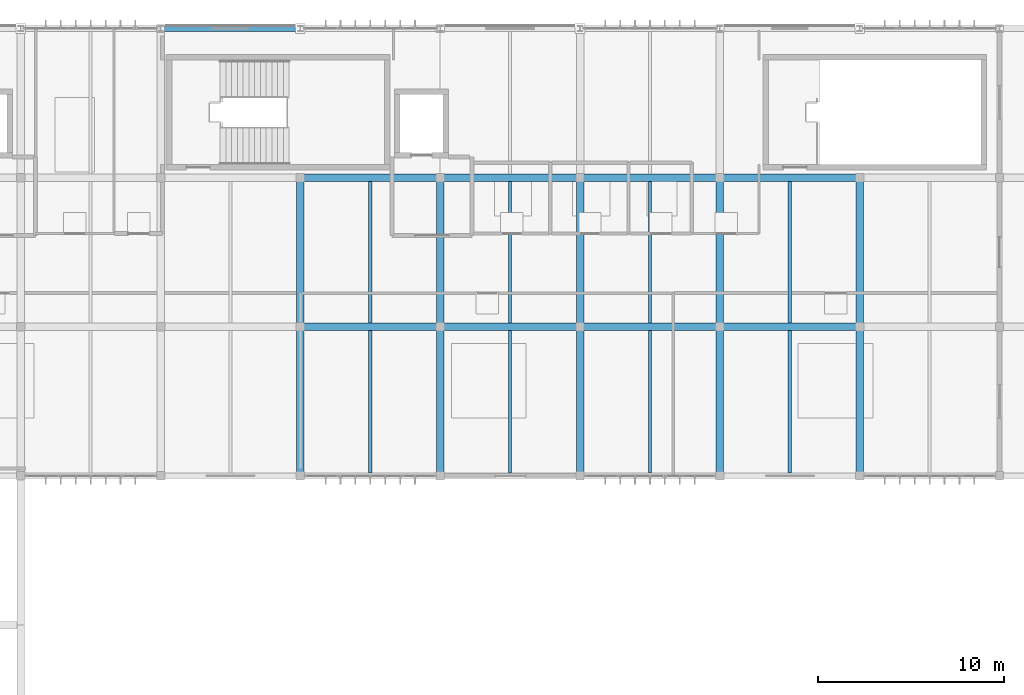
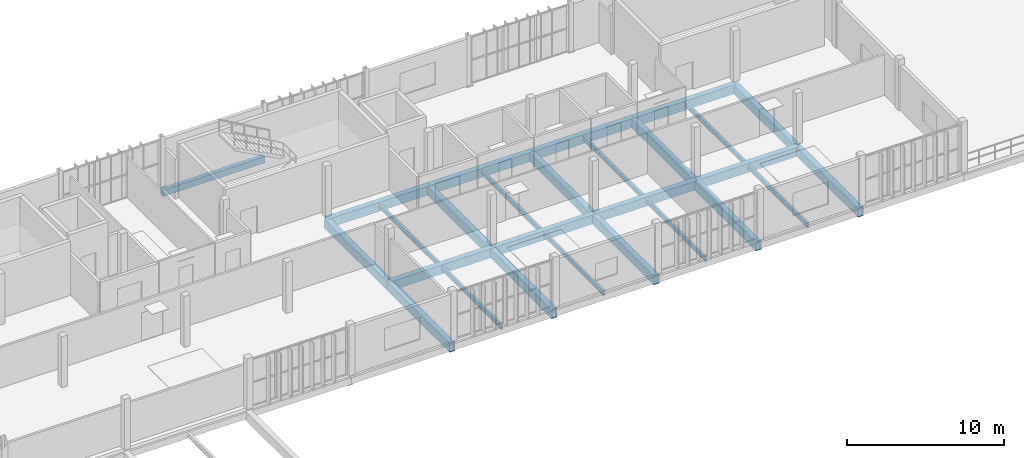
# One storey, part 12 of 26: 27 beams.
"""IFC4 building model written with IfcOpenShell, lengths in metres."""

import ifcopenshell
import ifcopenshell.guid

model = None  # the IFC model being written
_history = None  # IfcOwnerHistory: only IFC2X3 demands one
_inside = {}  # id of a spatial element -> (the spatial element, [elements in it])
_under = {}  # id of a project, library or spatial element -> (it, [spatial elements below it])
_declared = {}  # id of a project -> (the project, [libraries it declares])
_typed = {}  # id of a type object -> (the type object, [elements of that type])
_made_of = {}  # id of a material, layer set ... -> (it, [elements and type objects made of it])


def new_model(schema):
    """Start an empty IFC model of exactly this schema.

    Asked for "IFC4X3", IfcOpenShell would pick the latest addendum, in which some entities
    have other attributes; the version numbers below select the first issue.
    IFC2X3 requires an IfcOwnerHistory on every rooted entity: one is made here for all.
    """
    global model, _history
    if schema == "IFC4X3":
        model = ifcopenshell.file(schema_version=(4, 3, 0, 0))
    else:
        model = ifcopenshell.file(schema=schema)
    _inside.clear()
    _under.clear()
    _declared.clear()
    _typed.clear()
    _made_of.clear()
    _history = None
    if model.schema == "IFC2X3":
        org = make("IfcOrganization", Name="unknown")
        user = make(
            "IfcPersonAndOrganization",
            ThePerson=make("IfcPerson", FamilyName="unknown"),
            TheOrganization=org,
        )
        app = make(
            "IfcApplication",
            ApplicationDeveloper=org,
            Version="unknown",
            ApplicationFullName="unknown",
            ApplicationIdentifier="unknown",
        )
        _history = make(
            "IfcOwnerHistory",
            OwningUser=user,
            OwningApplication=app,
            ChangeAction="ADDED",
            CreationDate=0,
        )
    return model


def make(cls, **values):
    """One entity of the class cls with the attributes given. An attribute that is None is left unset."""
    return model.create_entity(
        cls, **{name: value for name, value in values.items() if value is not None}
    )


def rooted(cls, **values):
    """An entity with a GlobalId (a new one), such as an element, a storey or a relation."""
    return make(cls, GlobalId=ifcopenshell.guid.new(), OwnerHistory=_history, **values)


def si_unit(unit_type, name, prefix=None):
    """IfcSIUnit, for example si_unit("LENGTHUNIT", "METRE", prefix="MILLI")."""
    return make("IfcSIUnit", UnitType=unit_type, Prefix=prefix, Name=name)


def assignment(units):
    """IfcUnitAssignment: the units of a project."""
    return None if units is None else make("IfcUnitAssignment", Units=units)


def point(xyz):
    """IfcCartesianPoint."""
    return None if xyz is None else make("IfcCartesianPoint", Coordinates=xyz)


def direction(xyz):
    """IfcDirection."""
    return None if xyz is None else make("IfcDirection", DirectionRatios=xyz)


def frame(location, z_axis=None, x_axis=None):
    """IfcAxis2Placement3D, a coordinate frame: its origin and axes. An axis left out is left unset."""
    return make(
        "IfcAxis2Placement3D",
        Location=point(location),
        Axis=direction(z_axis),
        RefDirection=direction(x_axis),
    )


def frame_2d(location, x_axis=None):
    """IfcAxis2Placement2D, a coordinate frame in the plane: its origin and x axis."""
    return make(
        "IfcAxis2Placement2D", Location=point(location), RefDirection=direction(x_axis)
    )


def origin():
    """The frame at (0, 0, 0) with its axes left unset."""
    return frame((0.0, 0.0, 0.0))


def origin_2d():
    """The frame at (0, 0) in the plane with its x axis left unset."""
    return frame_2d((0.0, 0.0))


def place(relative_to, where):
    """IfcLocalPlacement: puts the frame where relative to a parent placement (None: the world)."""
    return make(
        "IfcLocalPlacement", PlacementRelTo=relative_to, RelativePlacement=where
    )


def context(
    kind, dimensions, precision=None, world=None, true_north=None, identifier=None
):
    """IfcGeometricRepresentationContext, for example the 3D "Model" context."""
    return make(
        "IfcGeometricRepresentationContext",
        ContextIdentifier=identifier,
        ContextType=kind,
        CoordinateSpaceDimension=dimensions,
        Precision=precision,
        WorldCoordinateSystem=world,
        TrueNorth=true_north,
    )


def subcontext(parent, identifier, kind, view, scale=None):
    """IfcGeometricRepresentationSubContext, for example "Body" below "Model"."""
    return make(
        "IfcGeometricRepresentationSubContext",
        ContextIdentifier=identifier,
        ContextType=kind,
        ParentContext=parent,
        TargetScale=scale,
        TargetView=view,
    )


def project(units=None, contexts=None):
    """IfcProject with its units and contexts."""
    return rooted(
        "IfcProject",
        Name="project",
        RepresentationContexts=contexts,
        UnitsInContext=assignment(units),
    )


def spatial(cls, under=None, at=None, **own):
    """A site, building, storey or space (cls), placed at a placement, below another one or the project."""
    s = rooted(cls, ObjectPlacement=at, **own)
    if under is not None:
        _under.setdefault(under.id(), (under, []))[1].append(s)
    return s


def profile(cls, at=None, kind="AREA", **sizes):
    """A parametric profile (cls). Its sizes go by their IFC names, for example OverallWidth=200.0."""
    return make(cls, ProfileType=kind, Position=at, **sizes)


def rectangle(**sizes):
    """IfcRectangleProfileDef."""
    return profile("IfcRectangleProfileDef", **sizes)


def i_section(**sizes):
    """IfcIShapeProfileDef."""
    return profile("IfcIShapeProfileDef", **sizes)


def extrude(swept, where, along, depth):
    """IfcExtrudedAreaSolid: the profile swept, set in the frame where, extruded along a direction by depth."""
    return make(
        "IfcExtrudedAreaSolid",
        SweptArea=swept,
        Position=where,
        ExtrudedDirection=direction(along),
        Depth=depth,
    )


def shape(context_of_items, identifier, shape_type, items):
    """IfcShapeRepresentation: the items that make up one representation, for example the "Body"."""
    return make(
        "IfcShapeRepresentation",
        ContextOfItems=context_of_items,
        RepresentationIdentifier=identifier,
        RepresentationType=shape_type,
        Items=items,
    )


def material(Name=None, Category=None):
    """IfcMaterial."""
    return make("IfcMaterial", Name=Name, Category=Category)


def material_profile(
    of_material, cross_section, Name=None, Category=None, Priority=None
):
    """IfcMaterialProfile: a cross section and its material."""
    return make(
        "IfcMaterialProfile",
        Name=Name,
        Material=of_material,
        Profile=cross_section,
        Priority=Priority,
        Category=Category,
    )


def profile_set(profiles, Name=None, composite=None):
    """IfcMaterialProfileSet."""
    return make(
        "IfcMaterialProfileSet",
        Name=Name,
        MaterialProfiles=profiles,
        CompositeProfile=composite,
    )


def made_of(thing, what):
    """Note that an element or type object is made of a material, layer set ...; save() writes the relation."""
    if what is not None:
        _made_of.setdefault(what.id(), (what, []))[1].append(thing)
    return thing


def type_object(cls, material=None, **own):
    """A type object (cls), such as IfcWallType, which elements share."""
    return made_of(rooted(cls, **own), material)


def element(
    cls,
    number,
    at=None,
    inside=None,
    cuts=None,
    type_object=None,
    material=None,
    context=None,
    identifier="Body",
    shape_type=None,
    held_by="IfcProductDefinitionShape",
    body=None,
    shapes=None,
    **own,
):
    """One element of the class cls, such as IfcWall. Its Tag is "e" and its number.

    at: its placement. inside: the storey or other place that contains it. cuts: it is an
    opening in that element (IfcRelVoidsElement). A single representation is given by context,
    identifier, shape_type and body (its items); several are given by shapes. held_by: the class
    of the entity that holds the representations. save() writes the other relations.
    """
    e = rooted(cls, Tag="e%d" % number, ObjectPlacement=at, **own)
    if body is not None:
        shapes = [shape(context, identifier, shape_type, body)]
    if shapes is not None:
        e.Representation = make(held_by, Representations=shapes)
    if inside is not None:
        _inside.setdefault(inside.id(), (inside, []))[1].append(e)
    if cuts is not None:
        rooted(
            "IfcRelVoidsElement", RelatingBuildingElement=cuts, RelatedOpeningElement=e
        )
    if type_object is not None:
        _typed.setdefault(type_object.id(), (type_object, []))[1].append(e)
    return made_of(e, material)


def aggregate(whole, parts):
    """IfcRelAggregates: a whole, such as a stair, and the parts it consists of."""
    return rooted("IfcRelAggregates", RelatingObject=whole, RelatedObjects=parts)


def save(model, path):
    """Write the relations noted so far, then the file.

    IfcRelAggregates (storeys below a building ...), IfcRelContainedInSpatialStructure (elements
    in a storey), IfcRelDefinesByType, IfcRelAssociatesMaterial and IfcRelDeclares: one each for
    every whole, place, type object, material and project.
    """
    for whole, parts in _under.values():
        aggregate(whole, parts)
    for where, things in _inside.values():
        rooted(
            "IfcRelContainedInSpatialStructure",
            RelatedElements=things,
            RelatingStructure=where,
        )
    for kind, things in _typed.values():
        rooted("IfcRelDefinesByType", RelatedObjects=things, RelatingType=kind)
    for what, things in _made_of.values():
        rooted("IfcRelAssociatesMaterial", RelatedObjects=things, RelatingMaterial=what)
    for by, libraries in _declared.values():
        rooted("IfcRelDeclares", RelatingContext=by, RelatedDefinitions=libraries)
    model.write(path)


model = new_model("IFC4")

# Units and contexts
model_context = context("Model", 3, precision=1e-05, world=origin(), true_north=direction((0.0, 1.0)))
body_context = subcontext(model_context, "Body", "Model", "MODEL_VIEW")
ifc_project = project(units=[si_unit("LENGTHUNIT", "METRE"), si_unit("AREAUNIT", "SQUARE_METRE"), si_unit("VOLUMEUNIT", "CUBIC_METRE"), si_unit("PLANEANGLEUNIT", "RADIAN"), si_unit("MASSUNIT", "GRAM", prefix="KILO")], contexts=[model_context])

# Site, building, storey
site_placement = place(None, origin())
site = spatial("IfcSite", under=ifc_project, at=site_placement, CompositionType="ELEMENT")
building_placement = place(site_placement, origin())
building = spatial("IfcBuilding", under=site, at=building_placement, Name="Vourika Railside Aquatics Centre", CompositionType="ELEMENT")
storey_placement = place(building_placement, frame((0.0, 0.0, 17.699951171875)))
storey = spatial("IfcBuildingStorey", under=building, at=storey_placement, Name="L04", CompositionType="ELEMENT", Elevation=17.699951171875)

# Beams
ifc_material_1 = material(Name="Concrete C35/45", Category="concrete")
ifc_material_profile_1 = material_profile(ifc_material_1, rectangle(XDim=0.39990234375, YDim=0.699951171875, at=origin_2d()), Name="RC 400x700")
ifc_profile_set_1 = profile_set([ifc_material_profile_1], Name="Concrete C35/45")
beam_type_1 = type_object("IfcBeamType", Name="BM-GIRD-400x700", PredefinedType="BEAM", material=ifc_profile_set_1)
for number, where, z_axis, x_axis, name in (
    (1, (51.0, 100.0, -0.58984375), (1.0, 0.0, 0.0), (0.0, 1.0, 0.0), "Floor Beam GX-L04-022"),
    (2, (58.5, 100.0, -0.58984375), (1.0, 0.0, 0.0), (0.0, 1.0, 0.0), "Floor Beam GX-L04-023"),
    (3, (66.0, 100.0, -0.58984375), (1.0, 0.0, 0.0), (0.0, 1.0, 0.0), "Floor Beam GX-L04-024"),
    (4, (73.5, 100.0, -0.58984375), (1.0, 0.0, 0.0), (0.0, 1.0, 0.0), "Floor Beam GX-L04-025"),
    (5, (51.0, 108.0, -0.58984375), (1.0, 0.0, 0.0), (0.0, 1.0, 0.0), "Floor Beam GX-L04-034"),
    (6, (58.5, 108.0, -0.58984375), (1.0, 0.0, 0.0), (0.0, 1.0, 0.0), "Floor Beam GX-L04-035"),
    (7, (66.0, 108.0, -0.58984375), (1.0, 0.0, 0.0), (0.0, 1.0, 0.0), "Floor Beam GX-L04-036"),
    (8, (73.5, 108.0, -0.58984375), (1.0, 0.0, 0.0), (0.0, 1.0, 0.0), "Floor Beam GX-L04-037"),
):
    element("IfcBeam", number, at=place(storey_placement, frame(where, z_axis=z_axis, x_axis=x_axis)), inside=storey, type_object=beam_type_1, Name=name, PredefinedType="BEAM", context=body_context, shape_type="SweptSolid", body=[
        extrude(rectangle(XDim=0.39990234375, YDim=0.699951171875, at=origin_2d()), origin(), (0.0, 0.0, 1.0), 7.5),
    ])
for number, where, z_axis, x_axis, name in (
    (9, (51.0, 92.0, -0.58984375), (0.0, 1.0, 0.0), (-1.0, 0.0, 0.0), "Floor Girder GY-L04-075"),
    (10, (51.0, 100.0, -0.58984375), (0.0, 1.0, 0.0), (-1.0, 0.0, 0.0), "Floor Girder GY-L04-076"),
    (11, (58.5, 92.0, -0.58984375), (0.0, 1.0, 0.0), (-1.0, 0.0, 0.0), "Floor Girder GY-L04-077"),
    (12, (58.5, 100.0, -0.58984375), (0.0, 1.0, 0.0), (-1.0, 0.0, 0.0), "Floor Girder GY-L04-078"),
    (13, (66.0, 92.0, -0.58984375), (0.0, 1.0, 0.0), (-1.0, 0.0, 0.0), "Floor Girder GY-L04-079"),
    (14, (66.0, 100.0, -0.58984375), (0.0, 1.0, 0.0), (-1.0, 0.0, 0.0), "Floor Girder GY-L04-080"),
    (15, (73.5, 92.0, -0.58984375), (0.0, 1.0, 0.0), (-1.0, 0.0, 0.0), "Floor Girder GY-L04-082"),
    (16, (73.5, 100.0, -0.58984375), (0.0, 1.0, 0.0), (-1.0, 0.0, 0.0), "Floor Girder GY-L04-083"),
    (17, (81.0, 92.0, -0.58984375), (0.0, 1.0, 0.0), (-1.0, 0.0, 0.0), "Floor Girder GY-L04-085"),
    (18, (81.0, 100.0, -0.58984375), (0.0, 1.0, 0.0), (-1.0, 0.0, 0.0), "Floor Girder GY-L04-086"),
):
    element("IfcBeam", number, at=place(storey_placement, frame(where, z_axis=z_axis, x_axis=x_axis)), inside=storey, type_object=beam_type_1, Name=name, PredefinedType="BEAM", context=body_context, shape_type="SweptSolid", body=[
        extrude(rectangle(XDim=0.39990234375, YDim=0.699951171875, at=origin_2d()), origin(), (0.0, 0.0, 1.0), 8.0),
    ])
ifc_material_profile_2 = material_profile(ifc_material_1, rectangle(XDim=0.300048828125, YDim=0.5, at=origin_2d()), Name="RC 300x500")
ifc_profile_set_2 = profile_set([ifc_material_profile_2], Name="Concrete C35/45")
beam_type_2 = type_object("IfcBeamType", Name="BM-SPAN-300x500", PredefinedType="SPANDREL", material=ifc_profile_set_2)
beam_placement = place(storey_placement, frame((43.5, 116.0, -0.489990234375), z_axis=(1.0, 0.0, 0.0), x_axis=(0.0, 1.0, 0.0)))
element("IfcBeam", 19, at=beam_placement, inside=storey, type_object=beam_type_2, Name="Floor Beam GX-L04-045", PredefinedType="SPANDREL", context=body_context, shape_type="SweptSolid", body=[
    extrude(rectangle(XDim=0.300048828125, YDim=0.5, at=origin_2d()), origin(), (0.0, 0.0, 1.0), 7.5),
])
ifc_material_2 = material(Name="Steel S355J2", Category="steel")
ifc_material_profile_3 = material_profile(ifc_material_2, i_section(OverallWidth=0.169921875, OverallDepth=0.360107421875, WebThickness=0.008056640625, FlangeThickness=0.0126953125, at=origin_2d()), Name="IPE 360")
ifc_profile_set_3 = profile_set([ifc_material_profile_3], Name="Steel S355J2")
beam_type_3 = type_object("IfcBeamType", Name="BM-STL-IPE360", PredefinedType="JOIST", material=ifc_profile_set_3)
for number, where, z_axis, x_axis, name in (
    (20, (54.75, 92.14990234375, -0.419921875), (0.0, 1.0, 0.0), (-1.0, 0.0, 0.0), "Secondary Joist JY-L04-108"),
    (21, (62.25, 92.14990234375, -0.419921875), (0.0, 1.0, 0.0), (-1.0, 0.0, 0.0), "Secondary Joist JY-L04-109"),
    (22, (69.75, 92.14990234375, -0.419921875), (0.0, 1.0, 0.0), (-1.0, 0.0, 0.0), "Secondary Joist JY-L04-110"),
    (23, (77.25, 92.14990234375, -0.419921875), (0.0, 1.0, 0.0), (-1.0, 0.0, 0.0), "Secondary Joist JY-L04-111"),
):
    element("IfcBeam", number, at=place(storey_placement, frame(where, z_axis=z_axis, x_axis=x_axis)), inside=storey, type_object=beam_type_3, Name=name, PredefinedType="JOIST", context=body_context, shape_type="SweptSolid", body=[
        extrude(i_section(OverallWidth=0.169921875, OverallDepth=0.360107421875, WebThickness=0.008056640625, FlangeThickness=0.0126953125, at=origin_2d()), origin(), (0.0, 0.0, 1.0), 7.650146484375),
    ])
for number, where, z_axis, x_axis, name in (
    (24, (54.75, 100.199951171875, -0.419921875), (0.0, 1.0, 0.0), (-1.0, 0.0, 0.0), "Secondary Joist JY-L04-120"),
    (25, (62.25, 100.199951171875, -0.419921875), (0.0, 1.0, 0.0), (-1.0, 0.0, 0.0), "Secondary Joist JY-L04-121"),
    (26, (69.75, 100.199951171875, -0.419921875), (0.0, 1.0, 0.0), (-1.0, 0.0, 0.0), "Secondary Joist JY-L04-122"),
    (27, (77.25, 100.199951171875, -0.419921875), (0.0, 1.0, 0.0), (-1.0, 0.0, 0.0), "Secondary Joist JY-L04-123"),
):
    element("IfcBeam", number, at=place(storey_placement, frame(where, z_axis=z_axis, x_axis=x_axis)), inside=storey, type_object=beam_type_3, Name=name, PredefinedType="JOIST", context=body_context, shape_type="SweptSolid", body=[
        extrude(i_section(OverallWidth=0.169921875, OverallDepth=0.360107421875, WebThickness=0.008056640625, FlangeThickness=0.0126953125, at=origin_2d()), origin(), (0.0, 0.0, 1.0), 7.60009765625),
    ])

save(model, "model.ifc")
